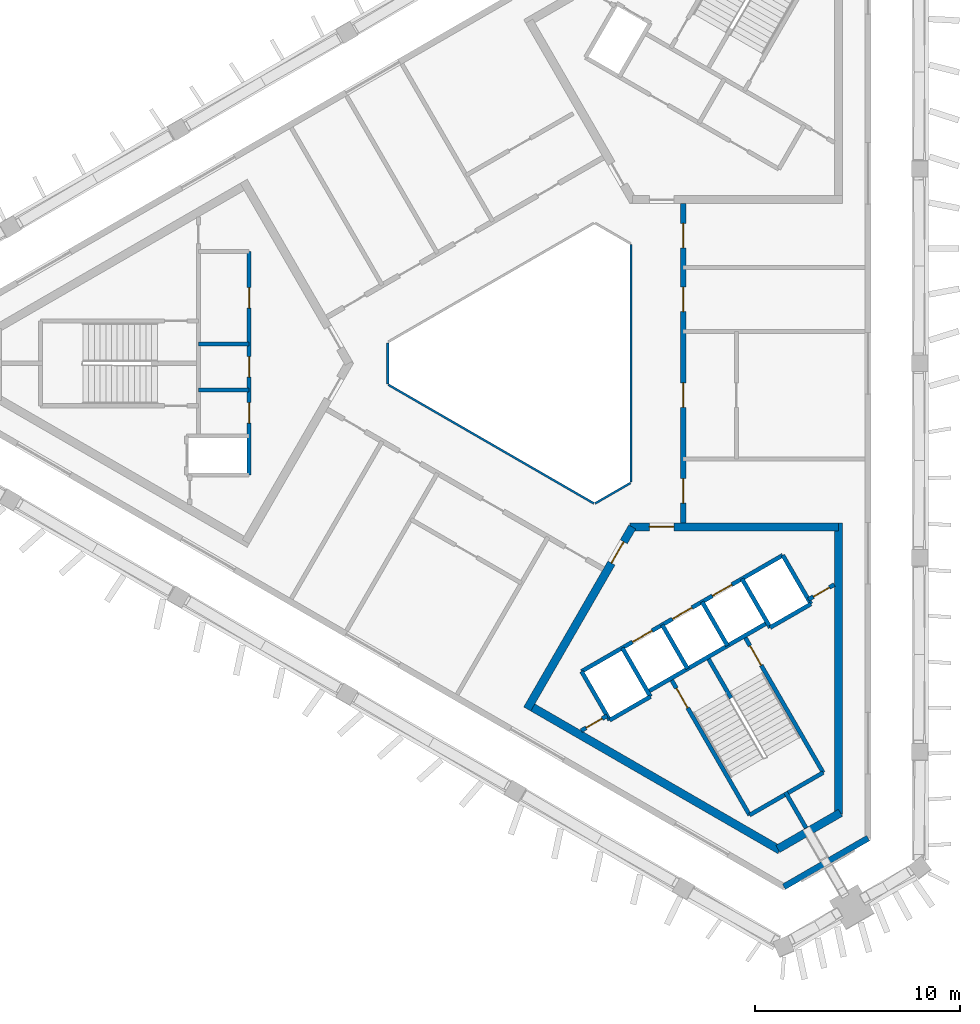
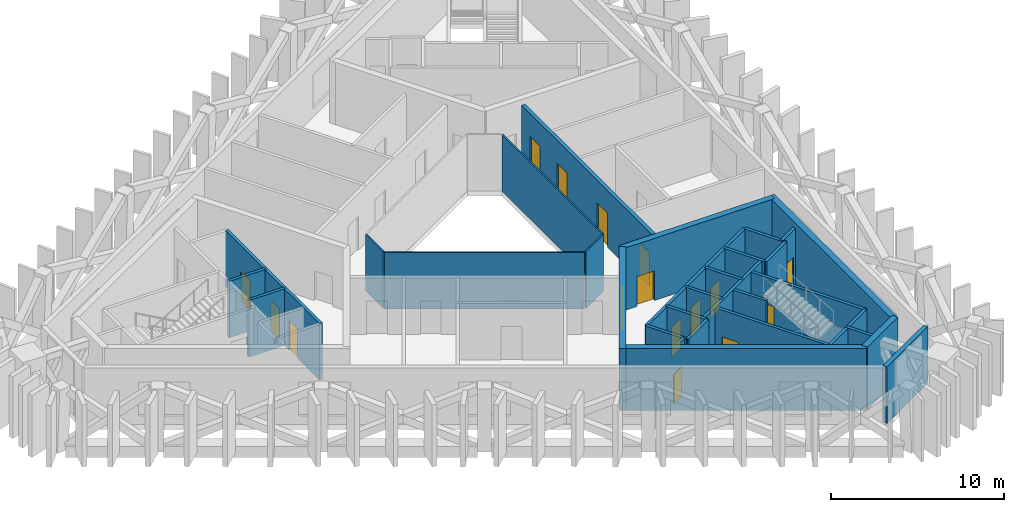
# One storey, part 4 of 8: 31 walls, 16 doors, 16 openings.
"""IFC4 building model written with IfcOpenShell, lengths in metres."""

from ifc_helpers import new_model, si_unit, direction, frame, frame_2d, origin, place, context, subcontext, project, spatial, rectangle, extrude, material, layer, layer_set, type_object, element, fill, save


model = new_model("IFC4")

# Units and contexts
model_context = context("Model", 3, precision=1e-05, world=origin(), true_north=direction((0.0, 1.0)))
body_context = subcontext(model_context, "Body", "Model", "MODEL_VIEW")
ifc_project = project(units=[si_unit("LENGTHUNIT", "METRE"), si_unit("AREAUNIT", "SQUARE_METRE"), si_unit("VOLUMEUNIT", "CUBIC_METRE"), si_unit("PLANEANGLEUNIT", "RADIAN"), si_unit("MASSUNIT", "GRAM", prefix="KILO")], contexts=[model_context])

# Site, building, storey
site_placement = place(None, origin())
site = spatial("IfcSite", under=ifc_project, at=site_placement, CompositionType="ELEMENT")
building_placement = place(site_placement, origin())
building = spatial("IfcBuilding", under=site, at=building_placement, Name="Jabali Bay Hotel Tower and Convention Centre", CompositionType="ELEMENT")
storey_placement = place(building_placement, frame((0.0, 0.0, 296.0)))
storey = spatial("IfcBuildingStorey", under=building, at=storey_placement, Name="L73", CompositionType="ELEMENT", Elevation=296.0)

# Walls
ifc_material_1 = material(Name="Fire-resistant glazing", Category="glass")
ifc_layer_1 = layer(ifc_material_1, 0.10009765625)
ifc_layer_set_1 = layer_set([ifc_layer_1], Name="Fire-resistant glazing")
wall_type_1 = type_object("IfcWallType", Name="Atrium glazed screen 100", PredefinedType="PARTITIONING", material=ifc_layer_set_1)
wall_1_placement = place(storey_placement, frame((79.56005859375, 74.205810546875, 0.0), z_axis=(0.0, 0.0, 1.0), x_axis=(0.0, 1.0, 0.0)))
element("IfcWall", 1, at=wall_1_placement, inside=storey, type_object=wall_type_1, Name="Atrium screen 1 L73", PredefinedType="PARTITIONING", context=body_context, shape_type="SweptSolid", body=[
    extrude(rectangle(XDim=11.58837890625, YDim=0.10009765625, at=frame_2d((5.794189453125, 0.0))), origin(), (0.0, 0.0, 1.0), 4.0),
])
wall_2_placement = place(storey_placement, frame((67.672119140625, 81.0, 0.0), z_axis=(0.0, 0.0, 1.0), x_axis=(0.0, -1.0, 0.0)))
element("IfcWall", 2, at=wall_2_placement, inside=storey, type_object=wall_type_1, Name="Atrium screen 4 L73", PredefinedType="PARTITIONING", context=body_context, shape_type="SweptSolid", body=[
    extrude(rectangle(XDim=2.0, YDim=0.10009765625, at=frame_2d((1.0, 0.0))), origin(), (0.0, 0.0, 1.0), 4.0),
])
wall_3_placement = place(storey_placement, frame((67.7021484375, 78.947998046875, 0.0), z_axis=(0.0, 0.0, 1.0), x_axis=(0.866026658274, -0.499997827154, 0.0)))
element("IfcWall", 3, at=wall_3_placement, inside=storey, type_object=wall_type_1, Name="Atrium screen 5 L73", PredefinedType="PARTITIONING", context=body_context, shape_type="SweptSolid", body=[
    extrude(rectangle(XDim=11.58837890625, YDim=0.10009765625, at=frame_2d((5.794189453125, 0.0))), origin(), (0.0, 0.0, 1.0), 4.0),
])
wall_4_placement = place(storey_placement, frame((77.7978515625, 73.15380859375, 0.0), z_axis=(0.0, 0.0, 1.0), x_axis=(0.866041268327, 0.499972520799, 0.0)))
element("IfcWall", 4, at=wall_4_placement, inside=storey, type_object=wall_type_1, Name="Atrium screen 6 L73", PredefinedType="PARTITIONING", context=body_context, shape_type="SweptSolid", body=[
    extrude(rectangle(XDim=2.0, YDim=0.10009765625, at=frame_2d((1.0, 0.0))), origin(), (0.0, 0.0, 1.0), 4.0),
])
ifc_material_2 = material(Name="Concrete C40", Category="concrete")
ifc_layer_2 = layer(ifc_material_2, 0.199951171875)
ifc_layer_set_2 = layer_set([ifc_layer_2], Name="Concrete C40")
wall_type_2 = type_object("IfcWallType", Name="Core partition wall 200", PredefinedType="PARTITIONING", material=ifc_layer_set_2)
wall_5_placement = place(storey_placement, frame((87.090087890625, 59.0595703125, 0.0), z_axis=(0.0, 0.0, 1.0), x_axis=(0.499941815747, -0.866058993873, 0.0)))
element("IfcWall", 5, at=wall_5_placement, inside=storey, type_object=wall_type_2, Name="Core wall 2.5 L73", PredefinedType="PARTITIONING", context=body_context, shape_type="SweptSolid", body=[
    extrude(rectangle(XDim=2.023193359375, YDim=0.199951171875, at=frame_2d((1.01171875, 0.0))), origin(), (0.0, 0.0, 1.0), 4.0),
])

# Wall, opening, door
wall_6_placement = place(storey_placement, frame((77.119873046875, 62.055908203125, 0.0), z_axis=(0.0, 0.0, 1.0), x_axis=(0.866054810376, 0.49994906283, 0.0)))
wall_6 = element("IfcWall", 6, at=wall_6_placement, inside=storey, type_object=wall_type_2, Name="Core wall 2.12 L73", PredefinedType="PARTITIONING", context=body_context, shape_type="SweptSolid", body=[
    extrude(rectangle(XDim=1.461181640625, YDim=0.199951171875, at=frame_2d((0.73046875, 0.0))), origin(), (0.0, 0.0, 1.0), 4.0),
])
opening_1_placement = place(wall_6_placement, frame((0.280517578125, 0.0, 0.0)))
opening_1 = element("IfcOpeningElement", 7, at=opening_1_placement, cuts=wall_6, Name="Opening D1633", PredefinedType="OPENING", context=body_context, shape_type="SweptSolid", body=[
    extrude(rectangle(XDim=0.89990234375, YDim=2.10009765625, at=frame_2d((0.449951171875, 1.050048828125))), frame((0.0, 0.1103515625, 0.0), z_axis=(0.0, -1.0, 0.0), x_axis=(1.0, 0.0, 0.0)), (0.0, 0.0, 1.0), 0.220947265625),
])
ifc_material_3 = material(Name="Fire-rated steel door", Category="steel")
door_type_1 = type_object("IfcDoorType", Name="Vestibule fire door 900 x 2100", OperationType="NOTDEFINED", PredefinedType="NOTDEFINED", material=ifc_material_3)
door_1_placement = place(opening_1_placement, origin())
door_1 = element("IfcDoor", 8, at=door_1_placement, inside=storey, type_object=door_type_1, Name="Vestibule fire door D1633", OperationType="SINGLE_SWING_LEFT", OverallHeight=2.10009765625, OverallWidth=0.89990234375, PredefinedType="NOTDEFINED", context=body_context, shape_type="SweptSolid", body=[
    extrude(rectangle(XDim=0.89990234375, YDim=2.10009765625, at=frame_2d((0.449951171875, 1.050048828125))), frame((0.0, 0.02490234375, 0.0), z_axis=(0.0, -1.0, 0.0), x_axis=(1.0, 0.0, 0.0)), (0.0, 0.0, 1.0), 0.050048828125),
])
fill(opening_1, door_1)

wall_7_placement = place(storey_placement, frame((88.214599609375, 68.46142578125, 0.0), z_axis=(0.0, 0.0, 1.0), x_axis=(0.865982457891, 0.500074377092, 0.0)))
wall_7 = element("IfcWall", 9, at=wall_7_placement, inside=storey, type_object=wall_type_2, Name="Core wall 2.13 L73", PredefinedType="PARTITIONING", context=body_context, shape_type="SweptSolid", body=[
    extrude(rectangle(XDim=1.461181640625, YDim=0.199951171875, at=frame_2d((0.73046875, 0.0))), origin(), (0.0, 0.0, 1.0), 4.0),
])
opening_2_placement = place(wall_7_placement, frame((0.280517578125, 0.0, 0.0)))
opening_2 = element("IfcOpeningElement", 10, at=opening_2_placement, cuts=wall_7, Name="Opening D1632", PredefinedType="OPENING", context=body_context, shape_type="SweptSolid", body=[
    extrude(rectangle(XDim=0.89990234375, YDim=2.10009765625, at=frame_2d((0.449951171875, 1.050048828125))), frame((0.0, 0.1103515625, 0.0), z_axis=(0.0, -1.0, 0.0), x_axis=(1.0, 0.0, 0.0)), (0.0, 0.0, 1.0), 0.220947265625),
])
door_2_placement = place(opening_2_placement, origin())
door_2 = element("IfcDoor", 11, at=door_2_placement, inside=storey, type_object=door_type_1, Name="Vestibule fire door D1632", OperationType="SINGLE_SWING_LEFT", OverallHeight=2.10009765625, OverallWidth=0.89990234375, PredefinedType="NOTDEFINED", context=body_context, shape_type="SweptSolid", body=[
    extrude(rectangle(XDim=0.89990234375, YDim=2.10009765625, at=frame_2d((0.449951171875, 1.050048828125))), frame((0.0, 0.02490234375, 0.0), z_axis=(0.0, -1.0, 0.0), x_axis=(1.0, 0.0, 0.0)), (0.0, 0.0, 1.0), 0.050048828125),
])
fill(opening_2, door_2)

# Walls
ifc_layer_3 = layer(ifc_material_2, 0.199951171875)
ifc_layer_set_3 = layer_set([ifc_layer_3], Name="Concrete C40")
wall_type_3 = type_object("IfcWallType", Name="Core stair wall 200", PredefinedType="SOLIDWALL", material=ifc_layer_set_3)
for number, where, z_axis, x_axis, name in (
    (12, (60.89990234375, 80.949951171875, 0.0), (0.0, 0.0, 1.0), (-1.0, 0.0, 0.0), "Core wall 0.2 L73"),
    (13, (60.89990234375, 78.699951171875, 0.0), (0.0, 0.0, 1.0), (-1.0, 0.0, 0.0), "Core wall 0.5 L73"),
):
    element("IfcWall", number, at=place(storey_placement, frame(where, z_axis=z_axis, x_axis=x_axis)), inside=storey, type_object=wall_type_3, Name=name, PredefinedType="SOLIDWALL", context=body_context, shape_type="SweptSolid", body=[
        extrude(rectangle(XDim=2.47998046875, YDim=0.199951171875, at=frame_2d((1.239990234375, 0.0))), origin(), (0.0, 0.0, 1.0), 4.0),
    ])

# Wall, openings, doors
wall_8_placement = place(storey_placement, frame((60.89990234375, 85.449951171875, 0.0), z_axis=(0.0, 0.0, 1.0), x_axis=(0.0, -1.0, 0.0)))
wall_8 = element("IfcWall", 14, at=wall_8_placement, inside=storey, type_object=wall_type_3, Name="Core wall 0.9 L73", PredefinedType="SOLIDWALL", context=body_context, shape_type="SweptSolid", body=[
    extrude(rectangle(XDim=10.89990234375, YDim=0.199951171875, at=frame_2d((5.449951171875, 0.0))), origin(), (0.0, 0.0, 1.0), 4.0),
])
opening_3_placement = place(wall_8_placement, frame((1.75, 0.0, 0.0)))
opening_3 = element("IfcOpeningElement", 15, at=opening_3_placement, cuts=wall_8, Name="Opening D1615", PredefinedType="OPENING", context=body_context, shape_type="SweptSolid", body=[
    extrude(rectangle(XDim=1.0, YDim=2.10009765625, at=frame_2d((0.5, 1.050048828125))), frame((0.0, 0.1103515625, 0.0), z_axis=(0.0, -1.0, 0.0), x_axis=(1.0, 0.0, 0.0)), (0.0, 0.0, 1.0), 0.220947265625),
])
opening_4_placement = place(wall_8_placement, frame((5.125, 0.0, 0.0)))
opening_4 = element("IfcOpeningElement", 16, at=opening_4_placement, cuts=wall_8, Name="Opening D1616", PredefinedType="OPENING", context=body_context, shape_type="SweptSolid", body=[
    extrude(rectangle(XDim=1.0, YDim=2.10009765625, at=frame_2d((0.5, 1.050048828125))), frame((0.0, 0.1103515625, 0.0), z_axis=(0.0, -1.0, 0.0), x_axis=(1.0, 0.0, 0.0)), (0.0, 0.0, 1.0), 0.220947265625),
])
opening_5_placement = place(wall_8_placement, frame((7.375, 0.0, 0.0)))
opening_5 = element("IfcOpeningElement", 17, at=opening_5_placement, cuts=wall_8, Name="Opening D1617", PredefinedType="OPENING", context=body_context, shape_type="SweptSolid", body=[
    extrude(rectangle(XDim=1.0, YDim=2.10009765625, at=frame_2d((0.5, 1.050048828125))), frame((0.0, 0.1103515625, 0.0), z_axis=(0.0, -1.0, 0.0), x_axis=(1.0, 0.0, 0.0)), (0.0, 0.0, 1.0), 0.220947265625),
])
door_type_2 = type_object("IfcDoorType", Name="Core room door 1000 x 2100", OperationType="NOTDEFINED", PredefinedType="NOTDEFINED", material=ifc_material_3)
door_3_placement = place(opening_3_placement, origin())
door_3 = element("IfcDoor", 18, at=door_3_placement, inside=storey, type_object=door_type_2, Name="Core room door D1615", OperationType="SINGLE_SWING_RIGHT", OverallHeight=2.10009765625, OverallWidth=1.0, PredefinedType="NOTDEFINED", context=body_context, shape_type="SweptSolid", body=[
    extrude(rectangle(XDim=1.0, YDim=2.10009765625, at=frame_2d((0.5, 1.050048828125))), frame((0.0, 0.02490234375, 0.0), z_axis=(0.0, -1.0, 0.0), x_axis=(1.0, 0.0, 0.0)), (0.0, 0.0, 1.0), 0.050048828125),
])
fill(opening_3, door_3)
door_4_placement = place(opening_4_placement, origin())
door_4 = element("IfcDoor", 19, at=door_4_placement, inside=storey, type_object=door_type_2, Name="Core room door D1616", OperationType="SINGLE_SWING_RIGHT", OverallHeight=2.10009765625, OverallWidth=1.0, PredefinedType="NOTDEFINED", context=body_context, shape_type="SweptSolid", body=[
    extrude(rectangle(XDim=1.0, YDim=2.10009765625, at=frame_2d((0.5, 1.050048828125))), frame((0.0, 0.02490234375, 0.0), z_axis=(0.0, -1.0, 0.0), x_axis=(1.0, 0.0, 0.0)), (0.0, 0.0, 1.0), 0.050048828125),
])
fill(opening_4, door_4)
door_5_placement = place(opening_5_placement, origin())
door_5 = element("IfcDoor", 20, at=door_5_placement, inside=storey, type_object=door_type_2, Name="Core room door D1617", OperationType="SINGLE_SWING_RIGHT", OverallHeight=2.10009765625, OverallWidth=1.0, PredefinedType="NOTDEFINED", context=body_context, shape_type="SweptSolid", body=[
    extrude(rectangle(XDim=1.0, YDim=2.10009765625, at=frame_2d((0.5, 1.050048828125))), frame((0.0, 0.02490234375, 0.0), z_axis=(0.0, -1.0, 0.0), x_axis=(1.0, 0.0, 0.0)), (0.0, 0.0, 1.0), 0.050048828125),
])
fill(opening_5, door_5)

# Walls
for number, where, z_axis, x_axis, name in (
    (21, (77.13525390625, 64.95166015625, 0.0), (0.0, 0.0, 1.0), (0.499996545922, -0.866027397988, 0.0), "Core wall 2.0 L73"),
    (22, (79.127197265625, 66.1015625, 0.0), (0.0, 0.0, 1.0), (0.499996545922, -0.866027397988, 0.0), "Core wall 2.1 L73"),
):
    element("IfcWall", number, at=place(storey_placement, frame(where, z_axis=z_axis, x_axis=x_axis)), inside=storey, type_object=wall_type_3, Name=name, PredefinedType="SOLIDWALL", context=body_context, shape_type="SweptSolid", body=[
        extrude(rectangle(XDim=2.75, YDim=0.199951171875, at=frame_2d((1.375, 0.0))), origin(), (0.0, 0.0, 1.0), 4.0),
    ])

# Wall, opening, door
wall_9_placement = place(storey_placement, frame((81.492919921875, 64.603759765625, 0.0), z_axis=(0.0, 0.0, 1.0), x_axis=(0.500006057782, -0.866021906294, 0.0)))
wall_9 = element("IfcWall", 23, at=wall_9_placement, inside=storey, type_object=wall_type_3, Name="Core wall 2.2 L73", PredefinedType="SOLIDWALL", context=body_context, shape_type="SweptSolid", body=[
    extrude(rectangle(XDim=7.7001953125, YDim=0.199951171875, at=frame_2d((3.85009765625, 0.0))), origin(), (0.0, 0.0, 1.0), 4.0),
])
opening_6_placement = place(wall_9_placement, frame((0.550048828125, 0.0, 0.0)))
opening_6 = element("IfcOpeningElement", 24, at=opening_6_placement, cuts=wall_9, Name="Opening D1635", PredefinedType="OPENING", context=body_context, shape_type="SweptSolid", body=[
    extrude(rectangle(XDim=1.10009765625, YDim=2.10009765625, at=frame_2d((0.550048828125, 1.050048828125))), frame((0.0, 0.1103515625, 0.0), z_axis=(0.0, -1.0, 0.0), x_axis=(1.0, 0.0, 0.0)), (0.0, 0.0, 1.0), 0.220947265625),
])
door_type_3 = type_object("IfcDoorType", Name="Stair fire door 1100 x 2100", OperationType="NOTDEFINED", PredefinedType="NOTDEFINED", material=ifc_material_3)
door_6_placement = place(opening_6_placement, origin())
door_6 = element("IfcDoor", 25, at=door_6_placement, inside=storey, type_object=door_type_3, Name="Stair fire door D1635", OperationType="SINGLE_SWING_LEFT", OverallHeight=2.10009765625, OverallWidth=1.10009765625, PredefinedType="NOTDEFINED", context=body_context, shape_type="SweptSolid", body=[
    extrude(rectangle(XDim=1.10009765625, YDim=2.10009765625, at=frame_2d((0.550048828125, 1.050048828125))), frame((0.0, 0.02490234375, 0.0), z_axis=(0.0, -1.0, 0.0), x_axis=(1.0, 0.0, 0.0)), (0.0, 0.0, 1.0), 0.050048828125),
])
fill(opening_6, door_6)

# Walls
wall_10_placement = place(storey_placement, frame((81.07568359375, 67.2265625, 0.0), z_axis=(0.0, 0.0, 1.0), x_axis=(0.50000366821, -0.866023285932, 0.0)))
element("IfcWall", 26, at=wall_10_placement, inside=storey, type_object=wall_type_3, Name="Core wall 2.3 L73", PredefinedType="SOLIDWALL", context=body_context, shape_type="SweptSolid", body=[
    extrude(rectangle(XDim=2.47998046875, YDim=0.199951171875, at=frame_2d((1.239990234375, 0.0))), origin(), (0.0, 0.0, 1.0), 4.0),
])
wall_11_placement = place(storey_placement, frame((83.340087890625, 65.5546875, 0.0), z_axis=(0.0, 0.0, 1.0), x_axis=(0.499946605688, -0.86605622881, 0.0)))
element("IfcWall", 27, at=wall_11_placement, inside=storey, type_object=wall_type_3, Name="Core wall 2.4 L73", PredefinedType="SOLIDWALL", context=body_context, shape_type="SweptSolid", body=[
    extrude(rectangle(XDim=2.199951171875, YDim=0.199951171875, at=frame_2d((1.10009765625, 0.0))), origin(), (0.0, 0.0, 1.0), 4.0),
])
wall_12_placement = place(storey_placement, frame((83.024169921875, 68.3515625, 0.0), z_axis=(0.0, 0.0, 1.0), x_axis=(0.50000366821, -0.866023285932, 0.0)))
element("IfcWall", 28, at=wall_12_placement, inside=storey, type_object=wall_type_3, Name="Core wall 2.6 L73", PredefinedType="SOLIDWALL", context=body_context, shape_type="SweptSolid", body=[
    extrude(rectangle(XDim=2.47998046875, YDim=0.199951171875, at=frame_2d((1.239990234375, 0.0))), origin(), (0.0, 0.0, 1.0), 4.0),
])

# Wall, opening, door
wall_13_placement = place(storey_placement, frame((85.0869140625, 66.6787109375, 0.0), z_axis=(0.0, 0.0, 1.0), x_axis=(0.500019787375, -0.866013979237, 0.0)))
wall_13 = element("IfcWall", 29, at=wall_13_placement, inside=storey, type_object=wall_type_3, Name="Core wall 2.7 L73", PredefinedType="SOLIDWALL", context=body_context, shape_type="SweptSolid", body=[
    extrude(rectangle(XDim=7.699951171875, YDim=0.199951171875, at=frame_2d((3.85009765625, 0.0))), origin(), (0.0, 0.0, 1.0), 4.0),
])
opening_7_placement = place(wall_13_placement, frame((0.550048828125, 0.0, 0.0)))
opening_7 = element("IfcOpeningElement", 30, at=opening_7_placement, cuts=wall_13, Name="Opening D1634", PredefinedType="OPENING", context=body_context, shape_type="SweptSolid", body=[
    extrude(rectangle(XDim=1.10009765625, YDim=2.10009765625, at=frame_2d((0.550048828125, 1.050048828125))), frame((0.0, 0.1103515625, 0.0), z_axis=(0.0, -1.0, 0.0), x_axis=(1.0, 0.0, 0.0)), (0.0, 0.0, 1.0), 0.220947265625),
])
door_7_placement = place(opening_7_placement, origin())
door_7 = element("IfcDoor", 31, at=door_7_placement, inside=storey, type_object=door_type_3, Name="Stair fire door D1634", OperationType="SINGLE_SWING_RIGHT", OverallHeight=2.10009765625, OverallWidth=1.10009765625, PredefinedType="NOTDEFINED", context=body_context, shape_type="SweptSolid", body=[
    extrude(rectangle(XDim=1.10009765625, YDim=2.10009765625, at=frame_2d((0.550048828125, 1.050048828125))), frame((0.0, 0.02490234375, 0.0), z_axis=(0.0, -1.0, 0.0), x_axis=(1.0, 0.0, 0.0)), (0.0, 0.0, 1.0), 0.050048828125),
])
fill(opening_7, door_7)

# Walls
for number, where, z_axis, x_axis, name in (
    (32, (84.972900390625, 69.4765625, 0.0), (0.0, 0.0, 1.0), (0.499996545922, -0.866027397988, 0.0), "Core wall 2.8 L73"),
    (33, (86.964599609375, 70.62646484375, 0.0), (0.0, 0.0, 1.0), (0.499996545922, -0.866027397988, 0.0), "Core wall 2.9 L73"),
):
    element("IfcWall", number, at=place(storey_placement, frame(where, z_axis=z_axis, x_axis=x_axis)), inside=storey, type_object=wall_type_3, Name=name, PredefinedType="SOLIDWALL", context=body_context, shape_type="SweptSolid", body=[
        extrude(rectangle(XDim=2.75, YDim=0.199951171875, at=frame_2d((1.375, 0.0))), origin(), (0.0, 0.0, 1.0), 4.0),
    ])

# Wall, openings, doors
wall_14_placement = place(storey_placement, frame((77.13525390625, 64.95166015625, 0.0), z_axis=(0.0, 0.0, 1.0), x_axis=(0.866031916153, 0.499988720078, 0.0)))
wall_14 = element("IfcWall", 34, at=wall_14_placement, inside=storey, type_object=wall_type_3, Name="Core wall 2.10 L73", PredefinedType="SOLIDWALL", context=body_context, shape_type="SweptSolid", body=[
    extrude(rectangle(XDim=11.349853515625, YDim=0.199951171875, at=frame_2d((5.6748046875, 0.0))), origin(), (0.0, 0.0, 1.0), 4.0),
])
opening_8_placement = place(wall_14_placement, frame((2.875, 0.0, 0.0)))
opening_8 = element("IfcOpeningElement", 35, at=opening_8_placement, cuts=wall_14, Name="Opening LD12-L73", PredefinedType="OPENING", context=body_context, shape_type="SweptSolid", body=[
    extrude(rectangle(XDim=1.10009765625, YDim=2.10009765625, at=frame_2d((0.550048828125, 1.050048828125))), frame((0.0, 0.1103515625, 0.0), z_axis=(0.0, -1.0, 0.0), x_axis=(1.0, 0.0, 0.0)), (0.0, 0.0, 1.0), 0.220947265625),
])
opening_9_placement = place(wall_14_placement, frame((5.125, 0.0, 0.0)))
opening_9 = element("IfcOpeningElement", 36, at=opening_9_placement, cuts=wall_14, Name="Opening LD13-L73", PredefinedType="OPENING", context=body_context, shape_type="SweptSolid", body=[
    extrude(rectangle(XDim=1.10009765625, YDim=2.10009765625, at=frame_2d((0.550048828125, 1.050048828125))), frame((0.0, 0.1103515625, 0.0), z_axis=(0.0, -1.0, 0.0), x_axis=(1.0, 0.0, 0.0)), (0.0, 0.0, 1.0), 0.220947265625),
])
opening_10_placement = place(wall_14_placement, frame((7.375, 0.0, 0.0)))
opening_10 = element("IfcOpeningElement", 37, at=opening_10_placement, cuts=wall_14, Name="Opening LD14-L73", PredefinedType="OPENING", context=body_context, shape_type="SweptSolid", body=[
    extrude(rectangle(XDim=1.10009765625, YDim=2.10009765625, at=frame_2d((0.550048828125, 1.050048828125))), frame((0.0, 0.1103515625, 0.0), z_axis=(0.0, -1.0, 0.0), x_axis=(1.0, 0.0, 0.0)), (0.0, 0.0, 1.0), 0.220947265625),
])
ifc_material_4 = material(Name="Stainless steel landing door", Category="steel")
door_type_4 = type_object("IfcDoorType", Name="Landing door 1100 x 2100", OperationType="NOTDEFINED", PredefinedType="NOTDEFINED", material=ifc_material_4)
door_8_placement = place(opening_8_placement, origin())
door_8 = element("IfcDoor", 38, at=door_8_placement, inside=storey, type_object=door_type_4, Name="Landing doors LD12-L73", OperationType="SLIDING_TO_LEFT", OverallHeight=2.10009765625, OverallWidth=1.10009765625, PredefinedType="NOTDEFINED", context=body_context, shape_type="SweptSolid", body=[
    extrude(rectangle(XDim=1.10009765625, YDim=2.10009765625, at=frame_2d((0.550048828125, 1.050048828125))), frame((0.0, 0.02490234375, 0.0), z_axis=(0.0, -1.0, 0.0), x_axis=(1.0, 0.0, 0.0)), (0.0, 0.0, 1.0), 0.050048828125),
])
fill(opening_8, door_8)
door_9_placement = place(opening_9_placement, origin())
door_9 = element("IfcDoor", 39, at=door_9_placement, inside=storey, type_object=door_type_4, Name="Landing doors LD13-L73", OperationType="SLIDING_TO_RIGHT", OverallHeight=2.10009765625, OverallWidth=1.10009765625, PredefinedType="NOTDEFINED", context=body_context, shape_type="SweptSolid", body=[
    extrude(rectangle(XDim=1.10009765625, YDim=2.10009765625, at=frame_2d((0.550048828125, 1.050048828125))), frame((0.0, 0.02490234375, 0.0), z_axis=(0.0, -1.0, 0.0), x_axis=(1.0, 0.0, 0.0)), (0.0, 0.0, 1.0), 0.050048828125),
])
fill(opening_9, door_9)
door_10_placement = place(opening_10_placement, origin())
door_10 = element("IfcDoor", 40, at=door_10_placement, inside=storey, type_object=door_type_4, Name="Landing doors LD14-L73", OperationType="SLIDING_TO_LEFT", OverallHeight=2.10009765625, OverallWidth=1.10009765625, PredefinedType="NOTDEFINED", context=body_context, shape_type="SweptSolid", body=[
    extrude(rectangle(XDim=1.10009765625, YDim=2.10009765625, at=frame_2d((0.550048828125, 1.050048828125))), frame((0.0, 0.02490234375, 0.0), z_axis=(0.0, -1.0, 0.0), x_axis=(1.0, 0.0, 0.0)), (0.0, 0.0, 1.0), 0.050048828125),
])
fill(opening_10, door_10)

# Walls
wall_15_placement = place(storey_placement, frame((80.3671875, 63.953857421875, 0.0), z_axis=(0.0, 0.0, 1.0), x_axis=(0.866026575979, 0.499997969693, 0.0)))
element("IfcWall", 41, at=wall_15_placement, inside=storey, type_object=wall_type_3, Name="Core wall 2.11 L73", PredefinedType="SOLIDWALL", context=body_context, shape_type="SweptSolid", body=[
    extrude(rectangle(XDim=6.75, YDim=0.199951171875, at=frame_2d((3.375, 0.0))), origin(), (0.0, 0.0, 1.0), 4.0),
])
wall_16_placement = place(storey_placement, frame((78.51025390625, 62.570068359375, 0.0), z_axis=(0.0, 0.0, 1.0), x_axis=(0.866053019151, 0.499952165731, 0.0)))
element("IfcWall", 42, at=wall_16_placement, inside=storey, type_object=wall_type_3, Name="Core wall 2.14 L73", PredefinedType="SOLIDWALL", context=body_context, shape_type="SweptSolid", body=[
    extrude(rectangle(XDim=2.300048828125, YDim=0.199951171875, at=frame_2d((1.14990234375, 0.0))), origin(), (0.0, 0.0, 1.0), 4.0),
])
wall_17_placement = place(storey_placement, frame((86.347900390625, 67.094970703125, 0.0), z_axis=(0.0, 0.0, 1.0), x_axis=(0.86602648383, 0.499998129301, 0.0)))
element("IfcWall", 43, at=wall_17_placement, inside=storey, type_object=wall_type_3, Name="Core wall 2.15 L73", PredefinedType="SOLIDWALL", context=body_context, shape_type="SweptSolid", body=[
    extrude(rectangle(XDim=2.2998046875, YDim=0.199951171875, at=frame_2d((1.14990234375, 0.0))), origin(), (0.0, 0.0, 1.0), 4.0),
])
wall_18_placement = place(storey_placement, frame((85.343017578125, 57.935302734375, 0.0), z_axis=(0.0, 0.0, 1.0), x_axis=(0.866004344652, 0.500036473714, 0.0)))
element("IfcWall", 44, at=wall_18_placement, inside=storey, type_object=wall_type_3, Name="Core wall 2.16 L73", PredefinedType="SOLIDWALL", context=body_context, shape_type="SweptSolid", body=[
    extrude(rectangle(XDim=4.150146484375, YDim=0.199951171875, at=frame_2d((2.0751953125, 0.0))), origin(), (0.0, 0.0, 1.0), 4.0),
])

# Wall, opening, door
ifc_material_5 = material(Name="Concrete C60", Category="concrete")
ifc_layer_4 = layer(ifc_material_5, 0.39990234375)
ifc_layer_set_4 = layer_set([ifc_layer_4], Name="Concrete C60")
wall_type_4 = type_object("IfcWallType", Name="Core wall 400", PredefinedType="SHEAR", material=ifc_layer_set_4)
wall_19_placement = place(storey_placement, frame((79.615478515625, 72.005859375, 0.0), z_axis=(0.0, 0.0, 1.0), x_axis=(-0.50000177223, -0.866024380585, 0.0)))
wall_19 = element("IfcWall", 45, at=wall_19_placement, inside=storey, type_object=wall_type_4, Name="Core wall 3.1 L73", PredefinedType="SHEAR", context=body_context, shape_type="SweptSolid", body=[
    extrude(rectangle(XDim=10.2646484375, YDim=0.39990234375, at=frame_2d((5.13232421875, 0.0))), origin(), (0.0, 0.0, 1.0), 4.39990234375),
])
opening_11_placement = place(wall_19_placement, frame((0.83447265625, 0.0, 0.0)))
opening_11 = element("IfcOpeningElement", 46, at=opening_11_placement, cuts=wall_19, Name="Opening D1630", PredefinedType="OPENING", context=body_context, shape_type="SweptSolid", body=[
    extrude(rectangle(XDim=1.199951171875, YDim=2.10009765625, at=frame_2d((0.60009765625, 1.050048828125))), frame((0.0, 0.21044921875, 0.0), z_axis=(0.0, -1.0, 0.0), x_axis=(1.0, 0.0, 0.0)), (0.0, 0.0, 1.0), 0.4208984375),
])
door_type_5 = type_object("IfcDoorType", Name="Corridor end fire door 1200 x 2100", OperationType="NOTDEFINED", PredefinedType="NOTDEFINED", material=ifc_material_3)
door_11_placement = place(opening_11_placement, origin())
door_11 = element("IfcDoor", 47, at=door_11_placement, inside=storey, type_object=door_type_5, Name="Corridor end fire door D1630", OperationType="SINGLE_SWING_RIGHT", OverallHeight=2.10009765625, OverallWidth=1.199951171875, PredefinedType="NOTDEFINED", context=body_context, shape_type="SweptSolid", body=[
    extrude(rectangle(XDim=1.199951171875, YDim=2.10009765625, at=frame_2d((0.60009765625, 1.050048828125))), frame((0.0, 0.02490234375, 0.0), z_axis=(0.0, -1.0, 0.0), x_axis=(1.0, 0.0, 0.0)), (0.0, 0.0, 1.0), 0.050048828125),
])
fill(opening_11, door_11)

# Walls
wall_20_placement = place(storey_placement, frame((74.583251953125, 63.28955078125, 0.0), z_axis=(0.0, 0.0, 1.0), x_axis=(0.866024494188, -0.500001575463, 0.0)))
element("IfcWall", 48, at=wall_20_placement, inside=storey, type_object=wall_type_4, Name="Core wall 3.2 L73", PredefinedType="SHEAR", context=body_context, shape_type="SweptSolid", body=[
    extrude(rectangle(XDim=14.13330078125, YDim=0.39990234375, at=frame_2d((7.066650390625, 0.0))), origin(), (0.0, 0.0, 1.0), 4.39990234375),
])
wall_21_placement = place(storey_placement, frame((86.72314453125, 56.28076171875, 0.0), z_axis=(0.0, 0.0, 1.0), x_axis=(0.866025485263, 0.499999858875, 0.0)))
element("IfcWall", 49, at=wall_21_placement, inside=storey, type_object=wall_type_4, Name="Core wall 3.3 L73", PredefinedType="SHEAR", context=body_context, shape_type="SweptSolid", body=[
    extrude(rectangle(XDim=3.52978515625, YDim=0.39990234375, at=frame_2d((1.764892578125, 0.0))), origin(), (0.0, 0.0, 1.0), 4.39990234375),
])
wall_22_placement = place(storey_placement, frame((89.679931640625, 57.98779296875, 0.0), z_axis=(0.0, 0.0, 1.0), x_axis=(0.0, 1.0, 0.0)))
element("IfcWall", 50, at=wall_22_placement, inside=storey, type_object=wall_type_4, Name="Core wall 3.4 L73", PredefinedType="SHEAR", context=body_context, shape_type="SweptSolid", body=[
    extrude(rectangle(XDim=14.218017578125, YDim=0.39990234375, at=frame_2d((7.10888671875, 0.0))), origin(), (0.0, 0.0, 1.0), 4.39990234375),
])

# Wall, opening, door
wall_23_placement = place(storey_placement, frame((89.679931640625, 72.005859375, 0.0), z_axis=(0.0, 0.0, 1.0), x_axis=(-1.0, 0.0, 0.0)))
wall_23 = element("IfcWall", 51, at=wall_23_placement, inside=storey, type_object=wall_type_4, Name="Core wall 3.5 L73", PredefinedType="SHEAR", context=body_context, shape_type="SweptSolid", body=[
    extrude(rectangle(XDim=10.179931640625, YDim=0.39990234375, at=frame_2d((5.08984375, 0.0))), origin(), (0.0, 0.0, 1.0), 4.39990234375),
])
opening_12_placement = place(wall_23_placement, frame((8.030029296875, 0.0, 0.0)))
opening_12 = element("IfcOpeningElement", 52, at=opening_12_placement, cuts=wall_23, Name="Opening D1631", PredefinedType="OPENING", context=body_context, shape_type="SweptSolid", body=[
    extrude(rectangle(XDim=1.199951171875, YDim=2.10009765625, at=frame_2d((0.60009765625, 1.050048828125))), frame((0.0, 0.21044921875, 0.0), z_axis=(0.0, -1.0, 0.0), x_axis=(1.0, 0.0, 0.0)), (0.0, 0.0, 1.0), 0.4208984375),
])
door_12_placement = place(opening_12_placement, origin())
door_12 = element("IfcDoor", 53, at=door_12_placement, inside=storey, type_object=door_type_5, Name="Corridor end fire door D1631", OperationType="SINGLE_SWING_LEFT", OverallHeight=2.10009765625, OverallWidth=1.199951171875, PredefinedType="NOTDEFINED", context=body_context, shape_type="SweptSolid", body=[
    extrude(rectangle(XDim=1.199951171875, YDim=2.10009765625, at=frame_2d((0.60009765625, 1.050048828125))), frame((0.0, 0.02490234375, 0.0), z_axis=(0.0, -1.0, 0.0), x_axis=(1.0, 0.0, 0.0)), (0.0, 0.0, 1.0), 0.050048828125),
])
fill(opening_12, door_12)

# Wall, openings, doors
ifc_layer_5 = layer(ifc_material_5, 0.25)
ifc_layer_set_5 = layer_set([ifc_layer_5], Name="Concrete C60")
wall_type_5 = type_object("IfcWallType", Name="Corridor wall 250", PredefinedType="SHEAR", material=ifc_layer_set_5)
wall_24_placement = place(storey_placement, frame((82.10009765625, 72.205810546875, 0.0), z_axis=(0.0, 0.0, 1.0), x_axis=(0.0, 1.0, 0.0)))
wall_24 = element("IfcWall", 54, at=wall_24_placement, inside=storey, type_object=wall_type_5, Name="Corridor wall 1 L73", PredefinedType="SHEAR", context=body_context, shape_type="SweptSolid", body=[
    extrude(rectangle(XDim=15.58837890625, YDim=0.25, at=frame_2d((7.794189453125, 0.0))), origin(), (0.0, 0.0, 1.0), 4.0),
])
opening_13_placement = place(wall_24_placement, frame((0.958740234375, 0.0, 0.0)))
opening_13 = element("IfcOpeningElement", 55, at=opening_13_placement, cuts=wall_24, Name="Opening 7301", PredefinedType="OPENING", context=body_context, shape_type="SweptSolid", body=[
    extrude(rectangle(XDim=1.199951171875, YDim=2.39990234375, at=frame_2d((0.60009765625, 1.199951171875))), frame((0.0, 0.135498046875, 0.0), z_axis=(0.0, -1.0, 0.0), x_axis=(1.0, 0.0, 0.0)), (0.0, 0.0, 1.0), 0.27099609375),
])
opening_14_placement = place(wall_24_placement, frame((5.635498046875, 0.0, 0.0)))
opening_14 = element("IfcOpeningElement", 56, at=opening_14_placement, cuts=wall_24, Name="Opening 7302", PredefinedType="OPENING", context=body_context, shape_type="SweptSolid", body=[
    extrude(rectangle(XDim=1.199951171875, YDim=2.39990234375, at=frame_2d((0.60009765625, 1.199951171875))), frame((0.0, 0.135498046875, 0.0), z_axis=(0.0, -1.0, 0.0), x_axis=(1.0, 0.0, 0.0)), (0.0, 0.0, 1.0), 0.27099609375),
])
opening_15_placement = place(wall_24_placement, frame((10.31201171875, 0.0, 0.0)))
opening_15 = element("IfcOpeningElement", 57, at=opening_15_placement, cuts=wall_24, Name="Opening 7304", PredefinedType="OPENING", context=body_context, shape_type="SweptSolid", body=[
    extrude(rectangle(XDim=1.199951171875, YDim=2.39990234375, at=frame_2d((0.60009765625, 1.199951171875))), frame((0.0, 0.135498046875, 0.0), z_axis=(0.0, -1.0, 0.0), x_axis=(1.0, 0.0, 0.0)), (0.0, 0.0, 1.0), 0.27099609375),
])
opening_16_placement = place(wall_24_placement, frame((13.4296875, 0.0, 0.0)))
opening_16 = element("IfcOpeningElement", 58, at=opening_16_placement, cuts=wall_24, Name="Opening 7305", PredefinedType="OPENING", context=body_context, shape_type="SweptSolid", body=[
    extrude(rectangle(XDim=1.199951171875, YDim=2.39990234375, at=frame_2d((0.60009765625, 1.199951171875))), frame((0.0, 0.135498046875, 0.0), z_axis=(0.0, -1.0, 0.0), x_axis=(1.0, 0.0, 0.0)), (0.0, 0.0, 1.0), 0.27099609375),
])
ifc_material_6 = material(Name="Steel Q355B", Category="steel")
door_type_6 = type_object("IfcDoorType", Name="Plant room door 1200 x 2400", OperationType="NOTDEFINED", PredefinedType="NOTDEFINED", material=ifc_material_6)
door_13_placement = place(opening_13_placement, origin())
door_13 = element("IfcDoor", 59, at=door_13_placement, inside=storey, type_object=door_type_6, Name="Door 7301", OperationType="SINGLE_SWING_LEFT", OverallHeight=2.39990234375, OverallWidth=1.199951171875, PredefinedType="NOTDEFINED", context=body_context, shape_type="SweptSolid", body=[
    extrude(rectangle(XDim=1.199951171875, YDim=2.39990234375, at=frame_2d((0.60009765625, 1.199951171875))), frame((0.0, 0.02490234375, 0.0), z_axis=(0.0, -1.0, 0.0), x_axis=(1.0, 0.0, 0.0)), (0.0, 0.0, 1.0), 0.050048828125),
])
fill(opening_13, door_13)
door_14_placement = place(opening_15_placement, origin())
door_14 = element("IfcDoor", 60, at=door_14_placement, inside=storey, type_object=door_type_6, Name="Door 7304", OperationType="SINGLE_SWING_RIGHT", OverallHeight=2.39990234375, OverallWidth=1.199951171875, PredefinedType="NOTDEFINED", context=body_context, shape_type="SweptSolid", body=[
    extrude(rectangle(XDim=1.199951171875, YDim=2.39990234375, at=frame_2d((0.60009765625, 1.199951171875))), frame((0.0, 0.02490234375, 0.0), z_axis=(0.0, -1.0, 0.0), x_axis=(1.0, 0.0, 0.0)), (0.0, 0.0, 1.0), 0.050048828125),
])
fill(opening_15, door_14)
door_15_placement = place(opening_16_placement, origin())
door_15 = element("IfcDoor", 61, at=door_15_placement, inside=storey, type_object=door_type_6, Name="Door 7305", OperationType="SINGLE_SWING_RIGHT", OverallHeight=2.39990234375, OverallWidth=1.199951171875, PredefinedType="NOTDEFINED", context=body_context, shape_type="SweptSolid", body=[
    extrude(rectangle(XDim=1.199951171875, YDim=2.39990234375, at=frame_2d((0.60009765625, 1.199951171875))), frame((0.0, 0.02490234375, 0.0), z_axis=(0.0, -1.0, 0.0), x_axis=(1.0, 0.0, 0.0)), (0.0, 0.0, 1.0), 0.050048828125),
])
fill(opening_16, door_15)
door_type_7 = type_object("IfcDoorType", Name="Refuge hall door 1200 x 2400", OperationType="NOTDEFINED", PredefinedType="NOTDEFINED", material=ifc_material_6)
door_16_placement = place(opening_14_placement, origin())
door_16 = element("IfcDoor", 62, at=door_16_placement, inside=storey, type_object=door_type_7, Name="Door 7302", OperationType="SINGLE_SWING_LEFT", OverallHeight=2.39990234375, OverallWidth=1.199951171875, PredefinedType="NOTDEFINED", context=body_context, shape_type="SweptSolid", body=[
    extrude(rectangle(XDim=1.199951171875, YDim=2.39990234375, at=frame_2d((0.60009765625, 1.199951171875))), frame((0.0, 0.02490234375, 0.0), z_axis=(0.0, -1.0, 0.0), x_axis=(1.0, 0.0, 0.0)), (0.0, 0.0, 1.0), 0.050048828125),
])
fill(opening_14, door_16)

# Wall
ifc_layer_6 = layer(ifc_material_2, 0.300048828125)
ifc_layer_set_6 = layer_set([ifc_layer_6], Name="Concrete C40")
wall_type_6 = type_object("IfcWallType", Name="External wall 300", PredefinedType="SOLIDWALL", material=ifc_layer_set_6)
wall_25_placement = place(storey_placement, frame((91.129638671875, 56.80712890625, 0.0), z_axis=(0.0, 0.0, 1.0), x_axis=(-0.866021059532, -0.50000752439, 0.0)))
element("IfcWall", 63, at=wall_25_placement, inside=storey, type_object=wall_type_6, Name="External wall south-east chamfer L73", PredefinedType="SOLIDWALL", context=body_context, shape_type="SweptSolid", body=[
    extrude(rectangle(XDim=4.74462890625, YDim=0.300048828125, at=frame_2d((2.372314453125, 0.0))), origin(), (0.0, 0.0, 1.0), 4.0),
])

save(model, "model.ifc")
